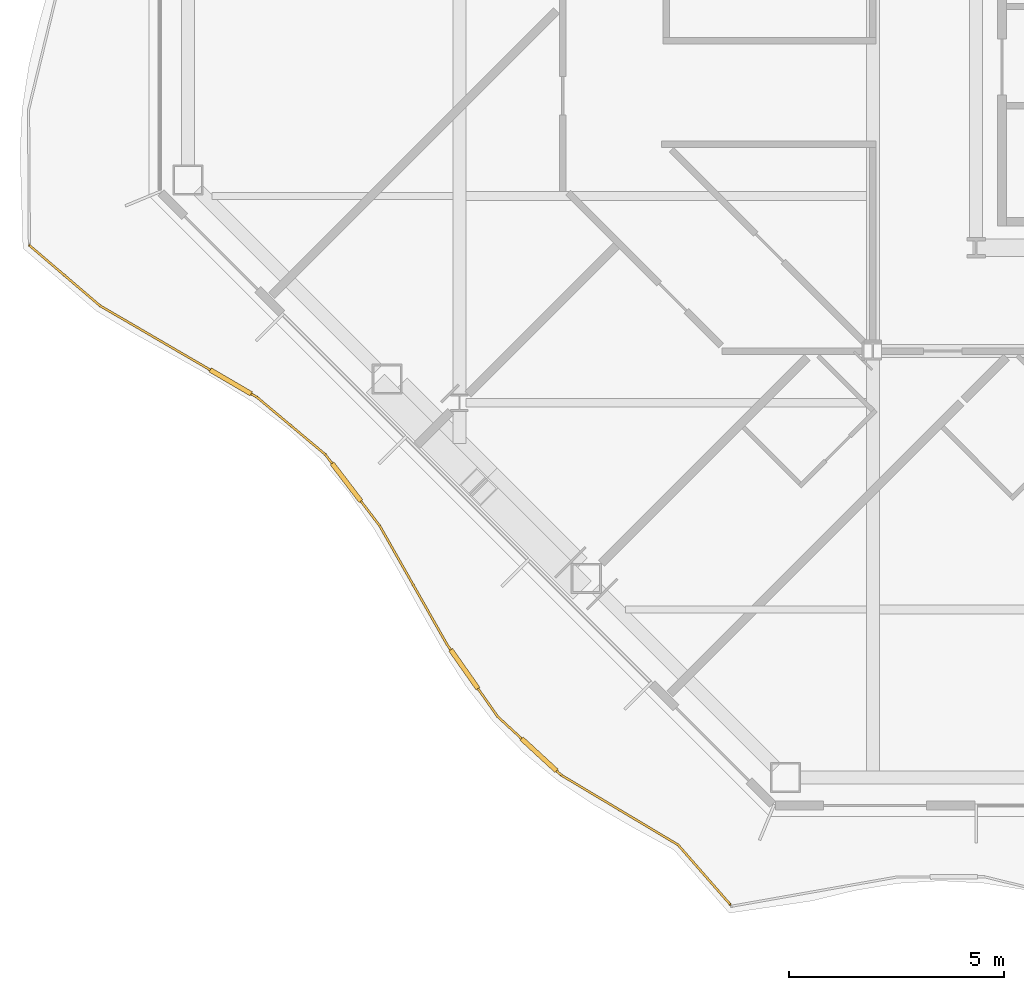
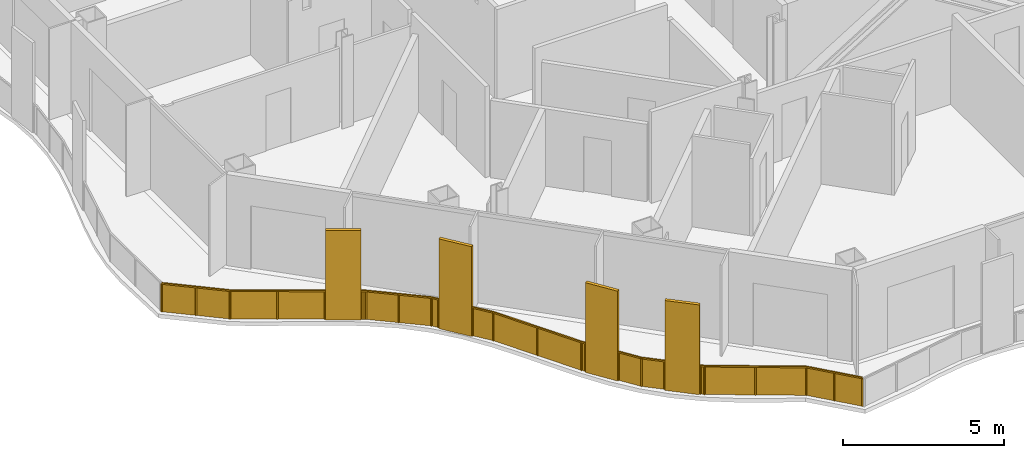
# One storey, part 15 of 22: 1 railing.
"""IFC4 building model written with IfcOpenShell, lengths in metres."""

import ifcopenshell
import ifcopenshell.guid

model = None  # the IFC model being written
_history = None  # IfcOwnerHistory: only IFC2X3 demands one
_inside = {}  # id of a spatial element -> (the spatial element, [elements in it])
_under = {}  # id of a project, library or spatial element -> (it, [spatial elements below it])
_declared = {}  # id of a project -> (the project, [libraries it declares])
_typed = {}  # id of a type object -> (the type object, [elements of that type])
_made_of = {}  # id of a material, layer set ... -> (it, [elements and type objects made of it])


def new_model(schema):
    """Start an empty IFC model of exactly this schema.

    Asked for "IFC4X3", IfcOpenShell would pick the latest addendum, in which some entities
    have other attributes; the version numbers below select the first issue.
    IFC2X3 requires an IfcOwnerHistory on every rooted entity: one is made here for all.
    """
    global model, _history
    if schema == "IFC4X3":
        model = ifcopenshell.file(schema_version=(4, 3, 0, 0))
    else:
        model = ifcopenshell.file(schema=schema)
    _inside.clear()
    _under.clear()
    _declared.clear()
    _typed.clear()
    _made_of.clear()
    _history = None
    if model.schema == "IFC2X3":
        org = make("IfcOrganization", Name="unknown")
        user = make(
            "IfcPersonAndOrganization",
            ThePerson=make("IfcPerson", FamilyName="unknown"),
            TheOrganization=org,
        )
        app = make(
            "IfcApplication",
            ApplicationDeveloper=org,
            Version="unknown",
            ApplicationFullName="unknown",
            ApplicationIdentifier="unknown",
        )
        _history = make(
            "IfcOwnerHistory",
            OwningUser=user,
            OwningApplication=app,
            ChangeAction="ADDED",
            CreationDate=0,
        )
    return model


def make(cls, **values):
    """One entity of the class cls with the attributes given. An attribute that is None is left unset."""
    return model.create_entity(
        cls, **{name: value for name, value in values.items() if value is not None}
    )


def rooted(cls, **values):
    """An entity with a GlobalId (a new one), such as an element, a storey or a relation."""
    return make(cls, GlobalId=ifcopenshell.guid.new(), OwnerHistory=_history, **values)


def si_unit(unit_type, name, prefix=None):
    """IfcSIUnit, for example si_unit("LENGTHUNIT", "METRE", prefix="MILLI")."""
    return make("IfcSIUnit", UnitType=unit_type, Prefix=prefix, Name=name)


def assignment(units):
    """IfcUnitAssignment: the units of a project."""
    return None if units is None else make("IfcUnitAssignment", Units=units)


def point(xyz):
    """IfcCartesianPoint."""
    return None if xyz is None else make("IfcCartesianPoint", Coordinates=xyz)


def direction(xyz):
    """IfcDirection."""
    return None if xyz is None else make("IfcDirection", DirectionRatios=xyz)


def frame(location, z_axis=None, x_axis=None):
    """IfcAxis2Placement3D, a coordinate frame: its origin and axes. An axis left out is left unset."""
    return make(
        "IfcAxis2Placement3D",
        Location=point(location),
        Axis=direction(z_axis),
        RefDirection=direction(x_axis),
    )


def frame_2d(location, x_axis=None):
    """IfcAxis2Placement2D, a coordinate frame in the plane: its origin and x axis."""
    return make(
        "IfcAxis2Placement2D", Location=point(location), RefDirection=direction(x_axis)
    )


def origin():
    """The frame at (0, 0, 0) with its axes left unset."""
    return frame((0.0, 0.0, 0.0))


def origin_2d():
    """The frame at (0, 0) in the plane with its x axis left unset."""
    return frame_2d((0.0, 0.0))


def place(relative_to, where):
    """IfcLocalPlacement: puts the frame where relative to a parent placement (None: the world)."""
    return make(
        "IfcLocalPlacement", PlacementRelTo=relative_to, RelativePlacement=where
    )


def context(
    kind, dimensions, precision=None, world=None, true_north=None, identifier=None
):
    """IfcGeometricRepresentationContext, for example the 3D "Model" context."""
    return make(
        "IfcGeometricRepresentationContext",
        ContextIdentifier=identifier,
        ContextType=kind,
        CoordinateSpaceDimension=dimensions,
        Precision=precision,
        WorldCoordinateSystem=world,
        TrueNorth=true_north,
    )


def subcontext(parent, identifier, kind, view, scale=None):
    """IfcGeometricRepresentationSubContext, for example "Body" below "Model"."""
    return make(
        "IfcGeometricRepresentationSubContext",
        ContextIdentifier=identifier,
        ContextType=kind,
        ParentContext=parent,
        TargetScale=scale,
        TargetView=view,
    )


def project(units=None, contexts=None):
    """IfcProject with its units and contexts."""
    return rooted(
        "IfcProject",
        Name="project",
        RepresentationContexts=contexts,
        UnitsInContext=assignment(units),
    )


def spatial(cls, under=None, at=None, **own):
    """A site, building, storey or space (cls), placed at a placement, below another one or the project."""
    s = rooted(cls, ObjectPlacement=at, **own)
    if under is not None:
        _under.setdefault(under.id(), (under, []))[1].append(s)
    return s


def polyline(points):
    """IfcPolyline through the points."""
    return make("IfcPolyline", Points=[point(p) for p in points])


def profile(cls, at=None, kind="AREA", **sizes):
    """A parametric profile (cls). Its sizes go by their IFC names, for example OverallWidth=200.0."""
    return make(cls, ProfileType=kind, Position=at, **sizes)


def rectangle(**sizes):
    """IfcRectangleProfileDef."""
    return profile("IfcRectangleProfileDef", **sizes)


def outline(outer, holes=None, kind="AREA"):
    """IfcArbitraryClosedProfileDef: a profile drawn as a closed curve; with holes, ...WithVoids."""
    if holes is None:
        return make("IfcArbitraryClosedProfileDef", ProfileType=kind, OuterCurve=outer)
    return make(
        "IfcArbitraryProfileDefWithVoids",
        ProfileType=kind,
        OuterCurve=outer,
        InnerCurves=holes,
    )


def extrude(swept, where, along, depth):
    """IfcExtrudedAreaSolid: the profile swept, set in the frame where, extruded along a direction by depth."""
    return make(
        "IfcExtrudedAreaSolid",
        SweptArea=swept,
        Position=where,
        ExtrudedDirection=direction(along),
        Depth=depth,
    )


def shape(context_of_items, identifier, shape_type, items):
    """IfcShapeRepresentation: the items that make up one representation, for example the "Body"."""
    return make(
        "IfcShapeRepresentation",
        ContextOfItems=context_of_items,
        RepresentationIdentifier=identifier,
        RepresentationType=shape_type,
        Items=items,
    )


def material(Name=None, Category=None):
    """IfcMaterial."""
    return make("IfcMaterial", Name=Name, Category=Category)


def made_of(thing, what):
    """Note that an element or type object is made of a material, layer set ...; save() writes the relation."""
    if what is not None:
        _made_of.setdefault(what.id(), (what, []))[1].append(thing)
    return thing


def type_object(cls, material=None, **own):
    """A type object (cls), such as IfcWallType, which elements share."""
    return made_of(rooted(cls, **own), material)


def element(
    cls,
    number,
    at=None,
    inside=None,
    cuts=None,
    type_object=None,
    material=None,
    context=None,
    identifier="Body",
    shape_type=None,
    held_by="IfcProductDefinitionShape",
    body=None,
    shapes=None,
    **own,
):
    """One element of the class cls, such as IfcWall. Its Tag is "e" and its number.

    at: its placement. inside: the storey or other place that contains it. cuts: it is an
    opening in that element (IfcRelVoidsElement). A single representation is given by context,
    identifier, shape_type and body (its items); several are given by shapes. held_by: the class
    of the entity that holds the representations. save() writes the other relations.
    """
    e = rooted(cls, Tag="e%d" % number, ObjectPlacement=at, **own)
    if body is not None:
        shapes = [shape(context, identifier, shape_type, body)]
    if shapes is not None:
        e.Representation = make(held_by, Representations=shapes)
    if inside is not None:
        _inside.setdefault(inside.id(), (inside, []))[1].append(e)
    if cuts is not None:
        rooted(
            "IfcRelVoidsElement", RelatingBuildingElement=cuts, RelatedOpeningElement=e
        )
    if type_object is not None:
        _typed.setdefault(type_object.id(), (type_object, []))[1].append(e)
    return made_of(e, material)


def aggregate(whole, parts):
    """IfcRelAggregates: a whole, such as a stair, and the parts it consists of."""
    return rooted("IfcRelAggregates", RelatingObject=whole, RelatedObjects=parts)


def save(model, path):
    """Write the relations noted so far, then the file.

    IfcRelAggregates (storeys below a building ...), IfcRelContainedInSpatialStructure (elements
    in a storey), IfcRelDefinesByType, IfcRelAssociatesMaterial and IfcRelDeclares: one each for
    every whole, place, type object, material and project.
    """
    for whole, parts in _under.values():
        aggregate(whole, parts)
    for where, things in _inside.values():
        rooted(
            "IfcRelContainedInSpatialStructure",
            RelatedElements=things,
            RelatingStructure=where,
        )
    for kind, things in _typed.values():
        rooted("IfcRelDefinesByType", RelatedObjects=things, RelatingType=kind)
    for what, things in _made_of.values():
        rooted("IfcRelAssociatesMaterial", RelatedObjects=things, RelatingMaterial=what)
    for by, libraries in _declared.values():
        rooted("IfcRelDeclares", RelatingContext=by, RelatedDefinitions=libraries)
    model.write(path)


model = new_model("IFC4")

# Units and contexts
model_context = context("Model", 3, precision=1e-05, world=origin(), true_north=direction((0.0, 1.0)))
body_context = subcontext(model_context, "Body", "Model", "MODEL_VIEW")
ifc_project = project(units=[si_unit("LENGTHUNIT", "METRE"), si_unit("AREAUNIT", "SQUARE_METRE"), si_unit("VOLUMEUNIT", "CUBIC_METRE"), si_unit("PLANEANGLEUNIT", "RADIAN"), si_unit("MASSUNIT", "GRAM", prefix="KILO")], contexts=[model_context])

# Site, building, storey
site_placement = place(None, origin())
site = spatial("IfcSite", under=ifc_project, at=site_placement, CompositionType="ELEMENT")
building_placement = place(site_placement, origin())
building = spatial("IfcBuilding", under=site, at=building_placement, Name="Cairn Pilgrim Tower", CompositionType="ELEMENT")
storey_placement = place(building_placement, frame((0.0, 0.0, 147.0)))
storey = spatial("IfcBuildingStorey", under=building, at=storey_placement, Name="L36", CompositionType="ELEMENT", Elevation=147.0)

# Railing
ifc_material = material(Name="Bronze anodised aluminium rail, posts and fin screens with laminated glass infill", Category="aluminium")
railing_type = type_object("IfcRailingType", Name="BALCONY GUARD WITH FIN SCREENS", PredefinedType="GUARDRAIL", material=ifc_material)
railing_placement = place(storey_placement, frame((-24.38232421875, -5.94482421875, 0.0)))
element("IfcRailing", 1, at=railing_placement, inside=storey, type_object=railing_type, Name="Balcony guard BGF-8 with fin screens", PredefinedType="GUARDRAIL", context=body_context, shape_type="SweptSolid", body=[
    extrude(rectangle(XDim=0.050048828125, YDim=0.050048828125, at=origin_2d()), frame((0.0, 0.0, 1.0751953125), z_axis=(0.7603259414, -0.649541732942, 0.0), x_axis=(0.649541732942, 0.7603259414, 0.0)), (0.0, 0.0, 1.0), 2.157470703125),
    extrude(rectangle(XDim=1.10009765625, YDim=0.110107421875, at=origin_2d()), frame((4.674072265625, -3.169189453125, 0.0), z_axis=(0.0, 0.0, 1.0), x_axis=(0.8640058929, -0.503481694836, 0.0)), (0.0, 0.0, 1.0), 3.39990234375),
    extrude(rectangle(XDim=0.050048828125, YDim=0.050048828125, at=origin_2d()), frame((1.640380859375, -1.4013671875, 1.0751953125), z_axis=(0.8640058929, -0.503481694836, 0.0), x_axis=(0.503481694836, 0.8640058929, 0.0)), (0.0, 0.0, 1.0), 2.96142578125),
    extrude(rectangle(XDim=0.050048828125, YDim=0.050048828125, at=origin_2d()), frame((5.1494140625, -3.4462890625, 1.0751953125), z_axis=(0.8640058929, -0.503481694836, 0.0), x_axis=(0.503481694836, 0.8640058929, 0.0)), (0.0, 0.0, 1.0), 0.150146484375),
    extrude(rectangle(XDim=0.050048828125, YDim=0.050048828125, at=origin_2d()), frame((5.279052734375, -3.521728515625, 1.0751953125), z_axis=(0.766529879162, -0.642208645497, 0.0), x_axis=(0.642208645497, 0.766529879162, 0.0)), (0.0, 0.0, 1.0), 2.07373046875),
    extrude(rectangle(XDim=1.10009765625, YDim=0.110107421875, at=origin_2d()), frame((7.3623046875, -5.5, 0.0), z_axis=(0.0, 0.0, 1.0), x_axis=(0.606827393974, -0.794833639149, 0.0)), (0.0, 0.0, 1.0), 3.39990234375),
    extrude(rectangle(XDim=0.050048828125, YDim=0.050048828125, at=origin_2d()), frame((6.86865234375, -4.853515625, 1.0751953125), z_axis=(0.606827393974, -0.794833639149, 0.0), x_axis=(0.794833639149, 0.606827393974, 0.0)), (0.0, 0.0, 1.0), 0.263427734375),
    extrude(rectangle(XDim=0.050048828125, YDim=0.050048828125, at=origin_2d()), frame((7.696044921875, -5.937255859375, 1.0751953125), z_axis=(0.606827393974, -0.794833639149, 0.0), x_axis=(0.794833639149, 0.606827393974, 0.0)), (0.0, 0.0, 1.0), 0.71826171875),
    extrude(rectangle(XDim=0.050048828125, YDim=0.050048828125, at=origin_2d()), frame((8.1318359375, -6.508056640625, 1.0751953125), z_axis=(0.493334890825, -0.86983945961, 0.0), x_axis=(0.86983945961, 0.493334890825, 0.0)), (0.0, 0.0, 1.0), 3.172119140625),
    extrude(rectangle(XDim=1.10009765625, YDim=0.110107421875, at=origin_2d()), frame((10.09912109375, -9.840087890625, 0.0), z_axis=(0.0, 0.0, 1.0), x_axis=(0.574768292729, -0.818316203966, 0.0)), (0.0, 0.0, 1.0), 3.39990234375),
    extrude(rectangle(XDim=0.050048828125, YDim=0.050048828125, at=origin_2d()), frame((9.69677734375, -9.267333984375, 1.0751953125), z_axis=(0.574768292729, -0.818316203966, 0.0), x_axis=(0.818316203966, 0.574768292729, 0.0)), (0.0, 0.0, 1.0), 0.14990234375),
    extrude(rectangle(XDim=0.050048828125, YDim=0.050048828125, at=origin_2d()), frame((10.415283203125, -10.2900390625, 1.0751953125), z_axis=(0.574768292729, -0.818316203966, 0.0), x_axis=(0.818316203966, 0.574768292729, 0.0)), (0.0, 0.0, 1.0), 0.794189453125),
    extrude(rectangle(XDim=1.10009765625, YDim=0.110107421875, at=origin_2d()), frame((11.832763671875, -11.82470703125, 0.0), z_axis=(0.0, 0.0, 1.0), x_axis=(0.735703034301, -0.67730424871, 0.0)), (0.0, 0.0, 1.0), 3.39990234375),
    extrude(rectangle(XDim=0.050048828125, YDim=0.050048828125, at=origin_2d()), frame((10.87158203125, -10.93994140625, 1.0751953125), z_axis=(0.735703034301, -0.67730424871, 0.0), x_axis=(0.67730424871, 0.735703034301, 0.0)), (0.0, 0.0, 1.0), 0.75634765625),
    extrude(rectangle(XDim=0.050048828125, YDim=0.050048828125, at=origin_2d()), frame((12.2373046875, -12.197265625, 1.0751953125), z_axis=(0.735703034301, -0.67730424871, 0.0), x_axis=(0.67730424871, 0.735703034301, 0.0)), (0.0, 0.0, 1.0), 0.150146484375),
    extrude(rectangle(XDim=0.050048828125, YDim=0.050048828125, at=origin_2d()), frame((12.347900390625, -12.299072265625, 1.0751953125), z_axis=(0.85860942499, -0.51263033008, 0.0), x_axis=(0.51263033008, 0.85860942499, 0.0)), (0.0, 0.0, 1.0), 3.158447265625),
    extrude(rectangle(XDim=0.050048828125, YDim=0.050048828125, at=origin_2d()), frame((15.059814453125, -13.918212890625, 1.0751953125), z_axis=(0.658900396385, -0.752230195913, 0.0), x_axis=(0.752230195913, 0.658900396385, 0.0)), (0.0, 0.0, 1.0), 1.833740234375),
    extrude(rectangle(XDim=0.050048828125, YDim=0.050048828125, at=origin_2d()), origin(), (0.0, 0.0, 1.0), 1.050048828125),
    extrude(rectangle(XDim=0.050048828125, YDim=0.050048828125, at=origin_2d()), frame((0.8203125, -0.70068359375, 0.0)), (0.0, 0.0, 1.0), 1.050048828125),
    extrude(rectangle(XDim=0.050048828125, YDim=0.050048828125, at=origin_2d()), frame((1.640380859375, -1.4013671875, 0.0)), (0.0, 0.0, 1.0), 1.050048828125),
    extrude(rectangle(XDim=0.050048828125, YDim=0.050048828125, at=origin_2d()), frame((2.908935546875, -2.140625, 0.0)), (0.0, 0.0, 1.0), 1.050048828125),
    extrude(rectangle(XDim=0.050048828125, YDim=0.050048828125, at=origin_2d()), frame((4.17724609375, -2.879638671875, 0.0)), (0.0, 0.0, 1.0), 1.050048828125),
    extrude(rectangle(XDim=0.050048828125, YDim=0.050048828125, at=origin_2d()), frame((5.1708984375, -3.458740234375, 0.0)), (0.0, 0.0, 1.0), 1.050048828125),
    extrude(rectangle(XDim=0.050048828125, YDim=0.050048828125, at=origin_2d()), frame((5.279052734375, -3.521728515625, 0.0)), (0.0, 0.0, 1.0), 1.050048828125),
    extrude(rectangle(XDim=0.050048828125, YDim=0.050048828125, at=origin_2d()), frame((6.07373046875, -4.1875, 0.0)), (0.0, 0.0, 1.0), 1.050048828125),
    extrude(rectangle(XDim=0.050048828125, YDim=0.050048828125, at=origin_2d()), frame((6.86865234375, -4.853515625, 0.0)), (0.0, 0.0, 1.0), 1.050048828125),
    extrude(rectangle(XDim=0.050048828125, YDim=0.050048828125, at=origin_2d()), frame((7.01318359375, -5.04296875, 0.0)), (0.0, 0.0, 1.0), 1.050048828125),
    extrude(rectangle(XDim=0.050048828125, YDim=0.050048828125, at=origin_2d()), frame((7.711181640625, -5.95703125, 0.0)), (0.0, 0.0, 1.0), 1.050048828125),
    extrude(rectangle(XDim=0.050048828125, YDim=0.050048828125, at=origin_2d()), frame((8.1318359375, -6.508056640625, 0.0)), (0.0, 0.0, 1.0), 1.050048828125),
    extrude(rectangle(XDim=0.050048828125, YDim=0.050048828125, at=origin_2d()), frame((8.914306640625, -7.8876953125, 0.0)), (0.0, 0.0, 1.0), 1.050048828125),
    extrude(rectangle(XDim=0.050048828125, YDim=0.050048828125, at=origin_2d()), frame((9.69677734375, -9.267333984375, 0.0)), (0.0, 0.0, 1.0), 1.050048828125),
    extrude(rectangle(XDim=0.050048828125, YDim=0.050048828125, at=origin_2d()), frame((9.7685546875, -9.36962890625, 0.0)), (0.0, 0.0, 1.0), 1.050048828125),
    extrude(rectangle(XDim=0.050048828125, YDim=0.050048828125, at=origin_2d()), frame((10.429443359375, -10.310546875, 0.0)), (0.0, 0.0, 1.0), 1.050048828125),
    extrude(rectangle(XDim=0.050048828125, YDim=0.050048828125, at=origin_2d()), frame((10.87158203125, -10.93994140625, 0.0)), (0.0, 0.0, 1.0), 1.050048828125),
    extrude(rectangle(XDim=0.050048828125, YDim=0.050048828125, at=origin_2d()), frame((11.40966796875, -11.435302734375, 0.0)), (0.0, 0.0, 1.0), 1.050048828125),
    extrude(rectangle(XDim=0.050048828125, YDim=0.050048828125, at=origin_2d()), frame((12.255859375, -12.21435546875, 0.0)), (0.0, 0.0, 1.0), 1.050048828125),
    extrude(rectangle(XDim=0.050048828125, YDim=0.050048828125, at=origin_2d()), frame((12.347900390625, -12.299072265625, 0.0)), (0.0, 0.0, 1.0), 1.050048828125),
    extrude(rectangle(XDim=0.050048828125, YDim=0.050048828125, at=origin_2d()), frame((13.703857421875, -13.108642578125, 0.0)), (0.0, 0.0, 1.0), 1.050048828125),
    extrude(rectangle(XDim=0.050048828125, YDim=0.050048828125, at=origin_2d()), frame((15.059814453125, -13.918212890625, 0.0)), (0.0, 0.0, 1.0), 1.050048828125),
    extrude(rectangle(XDim=0.050048828125, YDim=0.050048828125, at=origin_2d()), frame((15.6640625, -14.60791015625, 0.0)), (0.0, 0.0, 1.0), 1.050048828125),
    extrude(rectangle(XDim=0.050048828125, YDim=0.050048828125, at=origin_2d()), frame((16.26806640625, -15.297607421875, 0.0)), (0.0, 0.0, 1.0), 1.050048828125),
    extrude(outline(polyline([(0.02490234375, 0.0), (1.0537109375, 0.0), (1.0537109375, 1.050048828125), (0.02490234375, 1.050048828125), (0.02490234375, 0.0)])), frame((0.00390625, 0.004638671875, 0.0), z_axis=(-0.649541732942, -0.7603259414, 0.0), x_axis=(0.7603259414, -0.649541732942, 0.0)), (0.0, 0.0, 1.0), 0.011962890625),
    extrude(outline(polyline([(0.02490234375, 0.0), (1.0537109375, 0.0), (1.0537109375, 1.050048828125), (0.02490234375, 1.050048828125), (0.02490234375, 0.0)])), frame((0.823974609375, -0.696044921875, 0.0), z_axis=(-0.649541732942, -0.7603259414, 0.0), x_axis=(0.7603259414, -0.649541732942, 0.0)), (0.0, 0.0, 1.0), 0.011962890625),
    extrude(outline(polyline([(0.02490234375, 0.0), (1.443115234375, 0.0), (1.443115234375, 1.050048828125), (0.02490234375, 1.050048828125), (0.02490234375, 0.0)])), frame((1.643310546875, -1.396240234375, 0.0), z_axis=(-0.503481694836, -0.8640058929, 0.0), x_axis=(0.8640058929, -0.503481694836, 0.0)), (0.0, 0.0, 1.0), 0.011962890625),
    extrude(outline(polyline([(0.02490234375, 0.0), (1.443115234375, 0.0), (1.443115234375, 1.050048828125), (0.02490234375, 1.050048828125), (0.02490234375, 0.0)])), frame((2.911865234375, -2.135498046875, 0.0), z_axis=(-0.503481694836, -0.8640058929, 0.0), x_axis=(0.8640058929, -0.503481694836, 0.0)), (0.0, 0.0, 1.0), 0.011962890625),
    extrude(outline(polyline([(0.02490234375, 0.0), (0.10009765625, 0.0), (0.10009765625, 1.050048828125), (0.02490234375, 1.050048828125), (0.02490234375, 0.0)])), frame((5.174072265625, -3.45361328125, 0.0), z_axis=(-0.503481694836, -0.8640058929, 0.0), x_axis=(0.8640058929, -0.503481694836, 0.0)), (0.0, 0.0, 1.0), 0.011962890625),
    extrude(outline(polyline([(0.02490234375, 0.0), (1.011962890625, 0.0), (1.011962890625, 1.050048828125), (0.02490234375, 1.050048828125), (0.02490234375, 0.0)])), frame((5.282958984375, -3.51708984375, 0.0), z_axis=(-0.642208645497, -0.766529879162, 0.0), x_axis=(0.766529879162, -0.642208645497, 0.0)), (0.0, 0.0, 1.0), 0.011962890625),
    extrude(outline(polyline([(0.02490234375, 0.0), (1.011962890625, 0.0), (1.011962890625, 1.050048828125), (0.02490234375, 1.050048828125), (0.02490234375, 0.0)])), frame((6.07763671875, -4.18310546875, 0.0), z_axis=(-0.642208645497, -0.766529879162, 0.0), x_axis=(0.766529879162, -0.642208645497, 0.0)), (0.0, 0.0, 1.0), 0.011962890625),
    extrude(outline(polyline([(0.02490234375, 0.0), (0.21337890625, 0.0), (0.21337890625, 1.050048828125), (0.02490234375, 1.050048828125), (0.02490234375, 0.0)])), frame((6.873291015625, -4.849853515625, 0.0), z_axis=(-0.794833639149, -0.606827393974, 0.0), x_axis=(0.606827393974, -0.794833639149, 0.0)), (0.0, 0.0, 1.0), 0.011962890625),
    extrude(outline(polyline([(0.02490234375, 0.0), (0.668212890625, 0.0), (0.668212890625, 1.050048828125), (0.02490234375, 1.050048828125), (0.02490234375, 0.0)])), frame((7.7158203125, -5.953369140625, 0.0), z_axis=(-0.794833639149, -0.606827393974, 0.0), x_axis=(0.606827393974, -0.794833639149, 0.0)), (0.0, 0.0, 1.0), 0.011962890625),
    extrude(outline(polyline([(0.02490234375, 0.0), (1.56103515625, 0.0), (1.56103515625, 1.050048828125), (0.02490234375, 1.050048828125), (0.02490234375, 0.0)])), frame((8.136962890625, -6.505126953125, 0.0), z_axis=(-0.86983945961, -0.493334890825, 0.0), x_axis=(0.493334890825, -0.86983945961, 0.0)), (0.0, 0.0, 1.0), 0.011962890625),
    extrude(outline(polyline([(0.02490234375, 0.0), (1.56103515625, 0.0), (1.56103515625, 1.050048828125), (0.02490234375, 1.050048828125), (0.02490234375, 0.0)])), frame((8.91943359375, -7.884765625, 0.0), z_axis=(-0.86983945961, -0.493334890825, 0.0), x_axis=(0.493334890825, -0.86983945961, 0.0)), (0.0, 0.0, 1.0), 0.011962890625),
    extrude(outline(polyline([(0.02490234375, 0.0), (0.099853515625, 0.0), (0.099853515625, 1.050048828125), (0.02490234375, 1.050048828125), (0.02490234375, 0.0)])), frame((9.70166015625, -9.263916015625, 0.0), z_axis=(-0.818316203966, -0.574768292729, 0.0), x_axis=(0.574768292729, -0.818316203966, 0.0)), (0.0, 0.0, 1.0), 0.011962890625),
    extrude(outline(polyline([(0.02490234375, 0.0), (0.744140625, 0.0), (0.744140625, 1.050048828125), (0.02490234375, 1.050048828125), (0.02490234375, 0.0)])), frame((10.4345703125, -10.30712890625, 0.0), z_axis=(-0.818316203966, -0.574768292729, 0.0), x_axis=(0.574768292729, -0.818316203966, 0.0)), (0.0, 0.0, 1.0), 0.011962890625),
    extrude(outline(polyline([(0.02490234375, 0.0), (0.706298828125, 0.0), (0.706298828125, 1.050048828125), (0.02490234375, 1.050048828125), (0.02490234375, 0.0)])), frame((10.875732421875, -10.935546875, 0.0), z_axis=(-0.67730424871, -0.735703034301, 0.0), x_axis=(0.735703034301, -0.67730424871, 0.0)), (0.0, 0.0, 1.0), 0.011962890625),
    extrude(outline(polyline([(0.02490234375, 0.0), (0.10009765625, 0.0), (0.10009765625, 1.050048828125), (0.02490234375, 1.050048828125), (0.02490234375, 0.0)])), frame((12.259765625, -12.2099609375, 0.0), z_axis=(-0.67730424871, -0.735703034301, 0.0), x_axis=(0.735703034301, -0.67730424871, 0.0)), (0.0, 0.0, 1.0), 0.011962890625),
    extrude(outline(polyline([(0.02490234375, 0.0), (1.55419921875, 0.0), (1.55419921875, 1.050048828125), (0.02490234375, 1.050048828125), (0.02490234375, 0.0)])), frame((12.35107421875, -12.2939453125, 0.0), z_axis=(-0.51263033008, -0.85860942499, 0.0), x_axis=(0.85860942499, -0.51263033008, 0.0)), (0.0, 0.0, 1.0), 0.011962890625),
    extrude(outline(polyline([(0.02490234375, 0.0), (1.55419921875, 0.0), (1.55419921875, 1.050048828125), (0.02490234375, 1.050048828125), (0.02490234375, 0.0)])), frame((13.70703125, -13.103515625, 0.0), z_axis=(-0.51263033008, -0.85860942499, 0.0), x_axis=(0.85860942499, -0.51263033008, 0.0)), (0.0, 0.0, 1.0), 0.011962890625),
    extrude(outline(polyline([(0.02490234375, 0.0), (0.891845703125, 0.0), (0.891845703125, 1.050048828125), (0.02490234375, 1.050048828125), (0.02490234375, 0.0)])), frame((15.064208984375, -13.914306640625, 0.0), z_axis=(-0.752230195913, -0.658900396385, 0.0), x_axis=(0.658900396385, -0.752230195913, 0.0)), (0.0, 0.0, 1.0), 0.011962890625),
    extrude(outline(polyline([(0.02490234375, 0.0), (0.891845703125, 0.0), (0.891845703125, 1.050048828125), (0.02490234375, 1.050048828125), (0.02490234375, 0.0)])), frame((15.66845703125, -14.60400390625, 0.0), z_axis=(-0.752230195913, -0.658900396385, 0.0), x_axis=(0.658900396385, -0.752230195913, 0.0)), (0.0, 0.0, 1.0), 0.011962890625),
])

save(model, "model.ifc")
